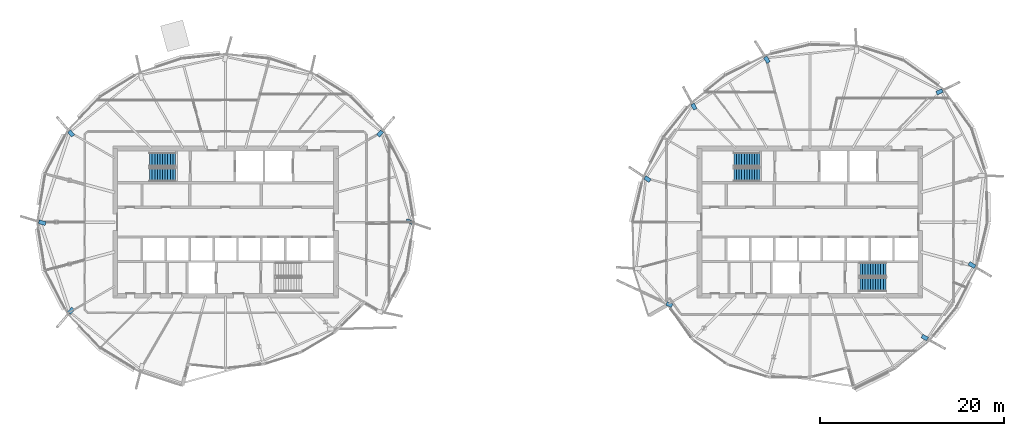
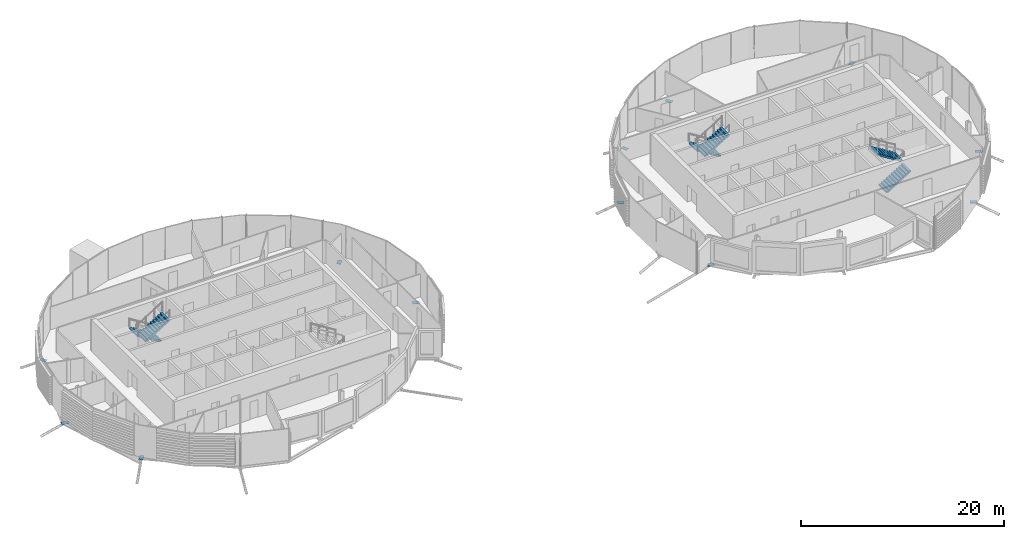
# One storey, part 22 of 33: 12 discrete accessories, 6 stair flights, 3 elements without a shape of their own.
"""IFC4 building model written with IfcOpenShell, lengths in metres."""

from ifc_helpers import new_model, si_unit, direction, frame, origin, origin_2d, place, context, subcontext, project, spatial, polyline, rectangle, outline, extrude, material, material_profile, profile_set, type_object, element, aggregate, save


model = new_model("IFC4")

# Units and contexts
model_context = context("Model", 3, precision=1e-05, world=origin(), true_north=direction((0.0, 1.0)))
body_context = subcontext(model_context, "Body", "Model", "MODEL_VIEW")
ifc_project = project(units=[si_unit("LENGTHUNIT", "METRE"), si_unit("AREAUNIT", "SQUARE_METRE"), si_unit("VOLUMEUNIT", "CUBIC_METRE"), si_unit("PLANEANGLEUNIT", "RADIAN"), si_unit("MASSUNIT", "GRAM", prefix="KILO")], contexts=[model_context])

# Site, building, storey
site_placement = place(None, origin())
site = spatial("IfcSite", under=ifc_project, at=site_placement, CompositionType="ELEMENT")
building_placement = place(site_placement, origin())
building = spatial("IfcBuilding", under=site, at=building_placement, Name="Rimbun Link Towers", CompositionType="ELEMENT")
storey_placement = place(building_placement, frame((0.0, 0.0, 237.10009765625)))
storey = spatial("IfcBuildingStorey", under=building, at=storey_placement, Name="L58", CompositionType="ELEMENT", Elevation=237.10009765625)

# Stair, stair flights
ifc_material_1 = material(Name="Concrete C40/50", Category="concrete")
stair_type = type_object("IfcStairType", Name="Exit stair 3800 rise", PredefinedType="HALF_TURN_STAIR", material=ifc_material_1)
stair_1_placement = place(storey_placement, origin())
stair_1 = element("IfcStair", 1, at=stair_1_placement, inside=storey, type_object=stair_type, Name="L58 EXIT STAIR A", PredefinedType="HALF_TURN_STAIR")
ifc_material_2 = material(Name="Concrete C40/50", Category="concrete")
stair_flight_type = type_object("IfcStairFlightType", Name="Exit stair flight 3800 rise", PredefinedType="STRAIGHT", material=ifc_material_2)
stair_flight_1_placement = place(storey_placement, frame((-37.199951171875, 6.800048828125, 0.0), z_axis=(0.0, 0.0, 1.0), x_axis=(-1.0, 0.0, 0.0)))
stair_flight_1 = element("IfcStairFlight", 2, at=stair_flight_1_placement, type_object=stair_flight_type, Name="ST1 flight 1", NumberOfRisers=11, NumberOfTreads=10, PredefinedType="STRAIGHT", RiserHeight=0.172727273, TreadLength=0.28, context=body_context, shape_type="SweptSolid", body=[
    extrude(outline(polyline([(0.0, 0.0), (0.0, 0.172607421875), (0.280029296875, 0.172607421875), (0.280029296875, 0.345458984375), (0.56005859375, 0.345458984375), (0.56005859375, 0.51806640625), (0.840087890625, 0.51806640625), (0.840087890625, 0.69091796875), (1.1201171875, 0.69091796875), (1.1201171875, 0.863525390625), (1.39990234375, 0.863525390625), (1.39990234375, 1.036376953125), (1.679931640625, 1.036376953125), (1.679931640625, 1.208984375), (1.9599609375, 1.208984375), (1.9599609375, 1.3818359375), (2.239990234375, 1.3818359375), (2.239990234375, 1.554443359375), (2.52001953125, 1.554443359375), (2.52001953125, 1.727294921875), (2.800048828125, 1.727294921875), (2.800048828125, 1.89990234375), (2.800048828125, 1.551025390625), (0.280029296875, 0.0), (0.0, 0.0)])), frame((0.0, 0.75, 0.0), z_axis=(0.0, -1.0, 0.0), x_axis=(1.0, 0.0, 0.0)), (0.0, 0.0, 1.0), 1.5),
])
stair_flight_2_placement = place(storey_placement, frame((-40.0, 5.14990234375, 1.89990234375), z_axis=(0.0, 0.0, 1.0), x_axis=(1.0, 0.0, 0.0)))
stair_flight_2 = element("IfcStairFlight", 3, at=stair_flight_2_placement, type_object=stair_flight_type, Name="ST1 flight 2", NumberOfRisers=11, NumberOfTreads=10, PredefinedType="STRAIGHT", RiserHeight=0.172727273, TreadLength=0.28, context=body_context, shape_type="SweptSolid", body=[
    extrude(outline(polyline([(0.0, 0.0), (0.0, 0.172607421875), (0.280029296875, 0.172607421875), (0.280029296875, 0.345458984375), (0.56005859375, 0.345458984375), (0.56005859375, 0.51806640625), (0.840087890625, 0.51806640625), (0.840087890625, 0.69091796875), (1.1201171875, 0.69091796875), (1.1201171875, 0.863525390625), (1.39990234375, 0.863525390625), (1.39990234375, 1.036376953125), (1.679931640625, 1.036376953125), (1.679931640625, 1.208984375), (1.9599609375, 1.208984375), (1.9599609375, 1.3818359375), (2.239990234375, 1.3818359375), (2.239990234375, 1.554443359375), (2.52001953125, 1.554443359375), (2.52001953125, 1.727294921875), (2.800048828125, 1.727294921875), (2.800048828125, 1.89990234375), (2.800048828125, 1.551025390625), (0.280029296875, 0.0), (0.0, 0.0)])), frame((0.0, 0.75, 0.0), z_axis=(0.0, -1.0, 0.0), x_axis=(1.0, 0.0, 0.0)), (0.0, 0.0, 1.0), 1.5),
])
aggregate(stair_1, [stair_flight_1, stair_flight_2])

stair_2_placement = place(storey_placement, origin())
stair_2 = element("IfcStair", 4, at=stair_2_placement, inside=storey, type_object=stair_type, Name="L58 EXIT STAIR A", PredefinedType="HALF_TURN_STAIR")
stair_flight_3_placement = place(storey_placement, frame((26.300048828125, 6.800048828125, 0.0), z_axis=(0.0, 0.0, 1.0), x_axis=(-1.0, 0.0, 0.0)))
stair_flight_3 = element("IfcStairFlight", 5, at=stair_flight_3_placement, type_object=stair_flight_type, Name="ST3 flight 1", NumberOfRisers=11, NumberOfTreads=10, PredefinedType="STRAIGHT", RiserHeight=0.172727273, TreadLength=0.28, context=body_context, shape_type="SweptSolid", body=[
    extrude(outline(polyline([(0.0, 0.0), (0.0, 0.172607421875), (0.280029296875, 0.172607421875), (0.280029296875, 0.345458984375), (0.56005859375, 0.345458984375), (0.56005859375, 0.51806640625), (0.840087890625, 0.51806640625), (0.840087890625, 0.69091796875), (1.1201171875, 0.69091796875), (1.1201171875, 0.863525390625), (1.39990234375, 0.863525390625), (1.39990234375, 1.036376953125), (1.679931640625, 1.036376953125), (1.679931640625, 1.208984375), (1.9599609375, 1.208984375), (1.9599609375, 1.3818359375), (2.239990234375, 1.3818359375), (2.239990234375, 1.554443359375), (2.52001953125, 1.554443359375), (2.52001953125, 1.727294921875), (2.800048828125, 1.727294921875), (2.800048828125, 1.89990234375), (2.800048828125, 1.551025390625), (0.280029296875, 0.0), (0.0, 0.0)])), frame((0.0, 0.75, 0.0), z_axis=(0.0, -1.0, 0.0), x_axis=(1.0, 0.0, 0.0)), (0.0, 0.0, 1.0), 1.5),
])
stair_flight_4_placement = place(storey_placement, frame((23.5, 5.14990234375, 1.89990234375), z_axis=(0.0, 0.0, 1.0), x_axis=(1.0, 0.0, 0.0)))
stair_flight_4 = element("IfcStairFlight", 6, at=stair_flight_4_placement, type_object=stair_flight_type, Name="ST3 flight 2", NumberOfRisers=11, NumberOfTreads=10, PredefinedType="STRAIGHT", RiserHeight=0.172727273, TreadLength=0.28, context=body_context, shape_type="SweptSolid", body=[
    extrude(outline(polyline([(0.0, 0.0), (0.0, 0.172607421875), (0.280029296875, 0.172607421875), (0.280029296875, 0.345458984375), (0.56005859375, 0.345458984375), (0.56005859375, 0.51806640625), (0.840087890625, 0.51806640625), (0.840087890625, 0.69091796875), (1.1201171875, 0.69091796875), (1.1201171875, 0.863525390625), (1.39990234375, 0.863525390625), (1.39990234375, 1.036376953125), (1.679931640625, 1.036376953125), (1.679931640625, 1.208984375), (1.9599609375, 1.208984375), (1.9599609375, 1.3818359375), (2.239990234375, 1.3818359375), (2.239990234375, 1.554443359375), (2.52001953125, 1.554443359375), (2.52001953125, 1.727294921875), (2.800048828125, 1.727294921875), (2.800048828125, 1.89990234375), (2.800048828125, 1.551025390625), (0.280029296875, 0.0), (0.0, 0.0)])), frame((0.0, 0.75, 0.0), z_axis=(0.0, -1.0, 0.0), x_axis=(1.0, 0.0, 0.0)), (0.0, 0.0, 1.0), 1.5),
])
aggregate(stair_2, [stair_flight_3, stair_flight_4])

stair_3_placement = place(storey_placement, origin())
stair_3 = element("IfcStair", 7, at=stair_3_placement, inside=storey, type_object=stair_type, Name="L58 EXIT STAIR B", PredefinedType="HALF_TURN_STAIR")
stair_flight_5_placement = place(storey_placement, frame((37.199951171875, -6.800048828125, 0.0), z_axis=(0.0, 0.0, 1.0), x_axis=(1.0, 0.0, 0.0)))
stair_flight_5 = element("IfcStairFlight", 8, at=stair_flight_5_placement, type_object=stair_flight_type, Name="ST4 flight 1", NumberOfRisers=11, NumberOfTreads=10, PredefinedType="STRAIGHT", RiserHeight=0.172727273, TreadLength=0.28, context=body_context, shape_type="SweptSolid", body=[
    extrude(outline(polyline([(0.0, 0.0), (0.0, 0.172607421875), (0.280029296875, 0.172607421875), (0.280029296875, 0.345458984375), (0.56005859375, 0.345458984375), (0.56005859375, 0.51806640625), (0.840087890625, 0.51806640625), (0.840087890625, 0.69091796875), (1.1201171875, 0.69091796875), (1.1201171875, 0.863525390625), (1.39990234375, 0.863525390625), (1.39990234375, 1.036376953125), (1.679931640625, 1.036376953125), (1.679931640625, 1.208984375), (1.9599609375, 1.208984375), (1.9599609375, 1.3818359375), (2.239990234375, 1.3818359375), (2.239990234375, 1.554443359375), (2.52001953125, 1.554443359375), (2.52001953125, 1.727294921875), (2.800048828125, 1.727294921875), (2.800048828125, 1.89990234375), (2.800048828125, 1.551025390625), (0.280029296875, 0.0), (0.0, 0.0)])), frame((0.0, 0.75, 0.0), z_axis=(0.0, -1.0, 0.0), x_axis=(1.0, 0.0, 0.0)), (0.0, 0.0, 1.0), 1.5),
])
stair_flight_6_placement = place(storey_placement, frame((40.0, -5.14990234375, 1.89990234375), z_axis=(0.0, 0.0, 1.0), x_axis=(-1.0, 0.0, 0.0)))
stair_flight_6 = element("IfcStairFlight", 9, at=stair_flight_6_placement, type_object=stair_flight_type, Name="ST4 flight 2", NumberOfRisers=11, NumberOfTreads=10, PredefinedType="STRAIGHT", RiserHeight=0.172727273, TreadLength=0.28, context=body_context, shape_type="SweptSolid", body=[
    extrude(outline(polyline([(0.0, 0.0), (0.0, 0.172607421875), (0.280029296875, 0.172607421875), (0.280029296875, 0.345458984375), (0.56005859375, 0.345458984375), (0.56005859375, 0.51806640625), (0.840087890625, 0.51806640625), (0.840087890625, 0.69091796875), (1.1201171875, 0.69091796875), (1.1201171875, 0.863525390625), (1.39990234375, 0.863525390625), (1.39990234375, 1.036376953125), (1.679931640625, 1.036376953125), (1.679931640625, 1.208984375), (1.9599609375, 1.208984375), (1.9599609375, 1.3818359375), (2.239990234375, 1.3818359375), (2.239990234375, 1.554443359375), (2.52001953125, 1.554443359375), (2.52001953125, 1.727294921875), (2.800048828125, 1.727294921875), (2.800048828125, 1.89990234375), (2.800048828125, 1.551025390625), (0.280029296875, 0.0), (0.0, 0.0)])), frame((0.0, 0.75, 0.0), z_axis=(0.0, -1.0, 0.0), x_axis=(1.0, 0.0, 0.0)), (0.0, 0.0, 1.0), 1.5),
])
aggregate(stair_3, [stair_flight_5, stair_flight_6])

# Discrete accessories
ifc_material_3 = material(Name="Steel S355J2H", Category="steel")
ifc_material_profile = material_profile(ifc_material_3, rectangle(XDim=0.43310546875, YDim=0.43310546875, at=origin_2d()), Name="PL 433x433")
ifc_profile_set = profile_set([ifc_material_profile], Name="Steel S355J2H")
discrete_accessory_type = type_object("IfcDiscreteAccessoryType", Name="Link head end plate 433X20", PredefinedType="BRACKET", material=ifc_profile_set)
discrete_accessory_1_placement = place(storey_placement, frame((0.0, 0.0, -0.613525390625)))
element("IfcDiscreteAccessory", 10, at=discrete_accessory_1_placement, inside=storey, type_object=discrete_accessory_type, Name="Link head end plate T1 L58 00", PredefinedType="BRACKET", context=body_context, shape_type="SweptSolid", body=[
    extrude(outline(polyline([(-12.19140625, -0.033935546875), (-11.525390625, -0.2646484375), (-11.3837890625, 0.14453125), (-12.0498046875, 0.375), (-12.19140625, -0.033935546875)])), origin(), (0.0, 0.0, 1.0), 0.02001953125),
])
discrete_accessory_2_placement = place(storey_placement, frame((0.0, 0.0, -0.46337890625)))
element("IfcDiscreteAccessory", 11, at=discrete_accessory_2_placement, inside=storey, type_object=discrete_accessory_type, Name="Link head end plate T1 L58 02", PredefinedType="BRACKET", context=body_context, shape_type="SweptSolid", body=[
    extrude(outline(polyline([(-15.018798828125, 9.234619140625), (-14.57958984375, 9.7490234375), (-14.908935546875, 10.030029296875), (-15.34814453125, 9.515869140625), (-15.018798828125, 9.234619140625)])), origin(), (0.0, 0.0, 1.0), 0.019775390625),
])
discrete_accessory_3_placement = place(storey_placement, frame((0.0, 0.0, -0.46337890625)))
element("IfcDiscreteAccessory", 12, at=discrete_accessory_3_placement, inside=storey, type_object=discrete_accessory_type, Name="Link head end plate T1 L58 10", PredefinedType="BRACKET", context=body_context, shape_type="SweptSolid", body=[
    extrude(outline(polyline([(-48.15185546875, 9.515869140625), (-48.591064453125, 10.030029296875), (-48.92041015625, 9.7490234375), (-48.481201171875, 9.234619140625), (-48.15185546875, 9.515869140625)])), origin(), (0.0, 0.0, 1.0), 0.019775390625),
])
discrete_accessory_4_placement = place(storey_placement, frame((0.0, 0.0, -1.000732421875)))
element("IfcDiscreteAccessory", 13, at=discrete_accessory_4_placement, inside=storey, type_object=discrete_accessory_type, Name="Link head end plate T1 L58 12", PredefinedType="BRACKET", context=body_context, shape_type="SweptSolid", body=[
    extrude(outline(polyline([(-51.248046875, 0.037353515625), (-51.9833984375, 0.260009765625), (-52.108642578125, -0.154541015625), (-51.37353515625, -0.376953125), (-51.248046875, 0.037353515625)])), origin(), (0.0, 0.0, 1.0), 0.02001953125),
])
discrete_accessory_5_placement = place(storey_placement, frame((0.0, 0.0, -0.46337890625)))
element("IfcDiscreteAccessory", 14, at=discrete_accessory_5_placement, inside=storey, type_object=discrete_accessory_type, Name="Link head end plate T1 L58 14", PredefinedType="BRACKET", context=body_context, shape_type="SweptSolid", body=[
    extrude(outline(polyline([(-48.481201171875, -9.234619140625), (-48.92041015625, -9.7490234375), (-48.591064453125, -10.030029296875), (-48.15185546875, -9.515869140625), (-48.481201171875, -9.234619140625)])), origin(), (0.0, 0.0, 1.0), 0.019775390625),
])
discrete_accessory_6_placement = place(storey_placement, frame((0.0, 0.0, -0.613525390625)))
element("IfcDiscreteAccessory", 15, at=discrete_accessory_6_placement, inside=storey, type_object=discrete_accessory_type, Name="Link head end plate T2 L58 00", PredefinedType="BRACKET", context=body_context, shape_type="SweptSolid", body=[
    extrude(outline(polyline([(45.60400390625, 13.805908203125), (46.238037109375, 14.11376953125), (46.049072265625, 14.50341796875), (45.414794921875, 14.195556640625), (45.60400390625, 13.805908203125)])), origin(), (0.0, 0.0, 1.0), 0.02001953125),
])
discrete_accessory_7_placement = place(storey_placement, frame((0.0, 0.0, -0.693115234375)))
element("IfcDiscreteAccessory", 16, at=discrete_accessory_7_placement, inside=storey, type_object=discrete_accessory_type, Name="Link head end plate T2 L58 04", PredefinedType="BRACKET", context=body_context, shape_type="SweptSolid", body=[
    extrude(outline(polyline([(27.44921875, 17.454345703125), (27.06982421875, 18.055419921875), (26.70361328125, 17.824462890625), (27.082763671875, 17.223388671875), (27.44921875, 17.454345703125)])), origin(), (0.0, 0.0, 1.0), 0.02001953125),
])
discrete_accessory_8_placement = place(storey_placement, frame((0.0, 0.0, -0.51513671875)))
element("IfcDiscreteAccessory", 17, at=discrete_accessory_8_placement, inside=storey, type_object=discrete_accessory_type, Name="Link head end plate T2 L58 06", PredefinedType="BRACKET", context=body_context, shape_type="SweptSolid", body=[
    extrude(outline(polyline([(19.48828125, 12.357421875), (19.170654296875, 12.947998046875), (18.789306640625, 12.74267578125), (19.107177734375, 12.15234375), (19.48828125, 12.357421875)])), origin(), (0.0, 0.0, 1.0), 0.02001953125),
])
discrete_accessory_9_placement = place(storey_placement, frame((0.0, 0.0, -0.46337890625)))
element("IfcDiscreteAccessory", 18, at=discrete_accessory_9_placement, inside=storey, type_object=discrete_accessory_type, Name="Link head end plate T2 L58 08", PredefinedType="BRACKET", context=body_context, shape_type="SweptSolid", body=[
    extrude(outline(polyline([(14.49755859375, 4.672607421875), (13.9306640625, 5.048095703125), (13.691650390625, 4.68701171875), (14.258544921875, 4.3115234375), (14.49755859375, 4.672607421875)])), origin(), (0.0, 0.0, 1.0), 0.019775390625),
])
discrete_accessory_10_placement = place(storey_placement, frame((0.0, 0.0, -0.51513671875)))
element("IfcDiscreteAccessory", 19, at=discrete_accessory_10_placement, inside=storey, type_object=discrete_accessory_type, Name="Link head end plate T2 L58 11", PredefinedType="BRACKET", context=body_context, shape_type="SweptSolid", body=[
    extrude(outline(polyline([(16.862548828125, -8.89599609375), (16.269287109375, -8.620361328125), (16.086669921875, -9.012939453125), (16.68017578125, -9.288818359375), (16.862548828125, -8.89599609375)])), origin(), (0.0, 0.0, 1.0), 0.02001953125),
])
discrete_accessory_11_placement = place(storey_placement, frame((0.0, 0.0, -0.51513671875)))
element("IfcDiscreteAccessory", 20, at=discrete_accessory_11_placement, inside=storey, type_object=discrete_accessory_type, Name="Link head end plate T2 L58 18", PredefinedType="BRACKET", context=body_context, shape_type="SweptSolid", body=[
    extrude(outline(polyline([(43.826904296875, -12.567138671875), (44.42529296875, -12.89697265625), (44.63427734375, -12.517578125), (44.035888671875, -12.18798828125), (43.826904296875, -12.567138671875)])), origin(), (0.0, 0.0, 1.0), 0.02001953125),
])
discrete_accessory_12_placement = place(storey_placement, frame((0.0, 0.0, -1.000732421875)))
element("IfcDiscreteAccessory", 21, at=discrete_accessory_12_placement, inside=storey, type_object=discrete_accessory_type, Name="Link head end plate T2 L58 20", PredefinedType="BRACKET", context=body_context, shape_type="SweptSolid", body=[
    extrude(outline(polyline([(48.924560546875, -4.656494140625), (49.58154296875, -5.04443359375), (49.8017578125, -4.67138671875), (49.144775390625, -4.28369140625), (48.924560546875, -4.656494140625)])), origin(), (0.0, 0.0, 1.0), 0.02001953125),
])

save(model, "model.ifc")
